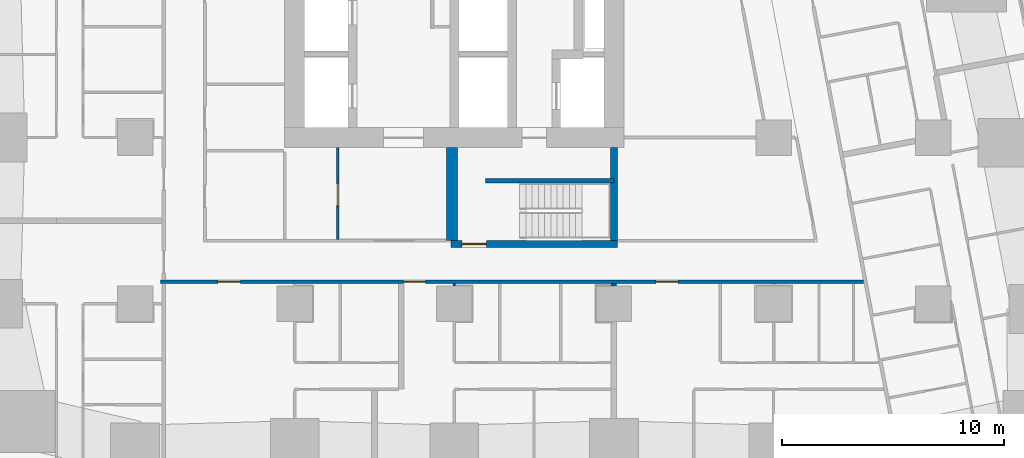
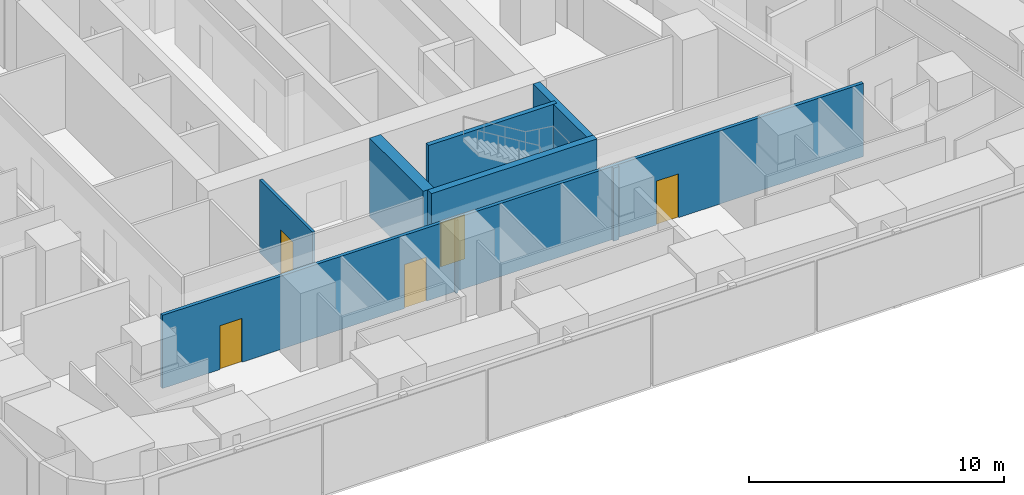
# One storey, part 4 of 17: 8 walls, 5 doors, 5 openings.
"""IFC4 building model written with IfcOpenShell, lengths in metres."""

from ifc_helpers import new_model, si_unit, direction, frame, frame_2d, origin, place, context, subcontext, project, spatial, rectangle, extrude, material, layer, layer_set, type_object, element, fill, save


model = new_model("IFC4")

# Units and contexts
model_context = context("Model", 3, precision=1e-05, world=origin(), true_north=direction((0.0, 1.0)))
body_context = subcontext(model_context, "Body", "Model", "MODEL_VIEW")
ifc_project = project(units=[si_unit("LENGTHUNIT", "METRE"), si_unit("AREAUNIT", "SQUARE_METRE"), si_unit("VOLUMEUNIT", "CUBIC_METRE"), si_unit("PLANEANGLEUNIT", "RADIAN"), si_unit("MASSUNIT", "GRAM", prefix="KILO")], contexts=[model_context])

# Site, building, storey
site_placement = place(None, origin())
site = spatial("IfcSite", under=ifc_project, at=site_placement, CompositionType="ELEMENT")
building_placement = place(site_placement, origin())
building = spatial("IfcBuilding", under=site, at=building_placement, Name="Sheger Commons Tower", CompositionType="ELEMENT")
storey_placement = place(building_placement, frame((0.0, 0.0, 119.14990234375)))
storey = spatial("IfcBuildingStorey", under=building, at=storey_placement, Name="L30", CompositionType="ELEMENT", Elevation=119.14990234375)

# Wall, openings, doors
ifc_material_1 = material(Name="Hollow concrete block masonry, skimmed both sides", Category="masonry")
ifc_layer_1 = layer(ifc_material_1, 0.14990234375)
ifc_layer_set_1 = layer_set([ifc_layer_1], Name="CORRIDOR WALL 150")
wall_type_1 = type_object("IfcWallType", Name="CORRIDOR WALL 150", PredefinedType="SOLIDWALL", material=ifc_layer_set_1)
wall_1_placement = place(storey_placement, frame((40.052978515625, 8.5, 0.0), z_axis=(0.0, 0.0, 1.0), x_axis=(-1.0, 0.0, 0.0)))
wall_1 = element("IfcWall", 1, at=wall_1_placement, inside=storey, type_object=wall_type_1, Name="Corridor wall L30", PredefinedType="SOLIDWALL", context=body_context, shape_type="SweptSolid", body=[
    extrude(rectangle(XDim=31.702880859375, YDim=0.14990234375, at=frame_2d((15.8515625, 0.0))), origin(), (0.0, 0.0, 1.0), 3.5),
])
opening_1_placement = place(wall_1_placement, frame((28.10302734375, 0.0, 0.0)))
opening_1 = element("IfcOpeningElement", 2, at=opening_1_placement, cuts=wall_1, Name="Opening D1", PredefinedType="OPENING", context=body_context, shape_type="SweptSolid", body=[
    extrude(rectangle(XDim=1.0, YDim=2.10009765625, at=frame_2d((0.5, 1.050048828125))), frame((0.0, 0.0849609375, 0.0), z_axis=(0.0, -1.0, 0.0), x_axis=(1.0, 0.0, 0.0)), (0.0, 0.0, 1.0), 0.169921875),
])
opening_2_placement = place(wall_1_placement, frame((19.75390625, 0.0, 0.0)))
opening_2 = element("IfcOpeningElement", 3, at=opening_2_placement, cuts=wall_1, Name="Opening D1", PredefinedType="OPENING", context=body_context, shape_type="SweptSolid", body=[
    extrude(rectangle(XDim=1.0, YDim=2.10009765625, at=frame_2d((0.5, 1.050048828125))), frame((0.0, 0.0849609375, 0.0), z_axis=(0.0, -1.0, 0.0), x_axis=(1.0, 0.0, 0.0)), (0.0, 0.0, 1.0), 0.169921875),
])
opening_3_placement = place(wall_1_placement, frame((8.35302734375, 0.0, 0.0)))
opening_3 = element("IfcOpeningElement", 4, at=opening_3_placement, cuts=wall_1, Name="Opening D1", PredefinedType="OPENING", context=body_context, shape_type="SweptSolid", body=[
    extrude(rectangle(XDim=1.0, YDim=2.10009765625, at=frame_2d((0.5, 1.050048828125))), frame((0.0, 0.0849609375, 0.0), z_axis=(0.0, -1.0, 0.0), x_axis=(1.0, 0.0, 0.0)), (0.0, 0.0, 1.0), 0.169921875),
])
ifc_material_2 = material(Name="Steel door set, fire rated", Category="steel")
door_type_1 = type_object("IfcDoorType", Name="FLAT ENTRANCE DOOR 1000x2100", OperationType="NOTDEFINED", PredefinedType="DOOR", material=ifc_material_2)
door_1_placement = place(opening_1_placement, origin())
door_1 = element("IfcDoor", 5, at=door_1_placement, inside=storey, type_object=door_type_1, Name="Flat entrance door", OperationType="SINGLE_SWING_RIGHT", OverallHeight=2.10009765625, OverallWidth=1.0, PredefinedType="DOOR", context=body_context, shape_type="SweptSolid", body=[
    extrude(rectangle(XDim=1.0, YDim=2.10009765625, at=frame_2d((0.5, 1.050048828125))), frame((0.0, 0.02490234375, 0.0), z_axis=(0.0, -1.0, 0.0), x_axis=(1.0, 0.0, 0.0)), (0.0, 0.0, 1.0), 0.050048828125),
])
fill(opening_1, door_1)
door_2_placement = place(opening_2_placement, origin())
door_2 = element("IfcDoor", 6, at=door_2_placement, inside=storey, type_object=door_type_1, Name="Flat entrance door", OperationType="SINGLE_SWING_RIGHT", OverallHeight=2.10009765625, OverallWidth=1.0, PredefinedType="DOOR", context=body_context, shape_type="SweptSolid", body=[
    extrude(rectangle(XDim=1.0, YDim=2.10009765625, at=frame_2d((0.5, 1.050048828125))), frame((0.0, 0.02490234375, 0.0), z_axis=(0.0, -1.0, 0.0), x_axis=(1.0, 0.0, 0.0)), (0.0, 0.0, 1.0), 0.050048828125),
])
fill(opening_2, door_2)
door_3_placement = place(opening_3_placement, origin())
door_3 = element("IfcDoor", 7, at=door_3_placement, inside=storey, type_object=door_type_1, Name="Flat entrance door", OperationType="SINGLE_SWING_RIGHT", OverallHeight=2.10009765625, OverallWidth=1.0, PredefinedType="DOOR", context=body_context, shape_type="SweptSolid", body=[
    extrude(rectangle(XDim=1.0, YDim=2.10009765625, at=frame_2d((0.5, 1.050048828125))), frame((0.0, 0.02490234375, 0.0), z_axis=(0.0, -1.0, 0.0), x_axis=(1.0, 0.0, 0.0)), (0.0, 0.0, 1.0), 0.050048828125),
])
fill(opening_3, door_3)

# Walls
ifc_material_3 = material(Name="Dense concrete block masonry, plastered both sides (separating wall between flats)", Category="masonry")
ifc_layer_2 = layer(ifc_material_3, 0.25)
ifc_layer_set_2 = layer_set([ifc_layer_2], Name="DEMISING WALL 250")
wall_type_2 = type_object("IfcWallType", Name="DEMISING WALL 250", PredefinedType="SOLIDWALL", material=ifc_layer_set_2)
wall_2_placement = place(storey_placement, frame((28.800048828125, 8.301025390625, 0.0), z_axis=(0.0, 0.0, 1.0), x_axis=(0.0, 1.0, 0.0)))
element("IfcWall", 8, at=wall_2_placement, inside=storey, type_object=wall_type_2, Name="Demising wall L30", PredefinedType="SOLIDWALL", context=body_context, shape_type="SweptSolid", body=[
    extrude(rectangle(XDim=0.1240234375, YDim=0.25, at=frame_2d((0.06201171875, 0.0))), origin(), (0.0, 0.0, 1.0), 3.5),
])
ifc_material_4 = material(Name="Gypsum board on steel studs", Category="steel")
ifc_layer_3 = layer(ifc_material_4, 0.10009765625)
ifc_layer_set_3 = layer_set([ifc_layer_3], Name="PARTITION 100")
wall_type_3 = type_object("IfcWallType", Name="PARTITION 100", PredefinedType="PARTITIONING", material=ifc_layer_set_3)
wall_3_placement = place(storey_placement, frame((21.60009765625, 8.301025390625, 0.0), z_axis=(0.0, 0.0, 1.0), x_axis=(0.0, 1.0, 0.0)))
element("IfcWall", 9, at=wall_3_placement, inside=storey, type_object=wall_type_3, Name="Partition L30", PredefinedType="PARTITIONING", context=body_context, shape_type="SweptSolid", body=[
    extrude(rectangle(XDim=0.1240234375, YDim=0.10009765625, at=frame_2d((0.06201171875, 0.0))), origin(), (0.0, 0.0, 1.0), 3.5),
])

# Wall, opening, door
ifc_material_5 = material(Name="Gypsum board on steel studs, two layers each side, fire rated", Category="steel")
ifc_layer_4 = layer(ifc_material_5, 0.125)
ifc_layer_set_4 = layer_set([ifc_layer_4], Name="SERVICE WALL 125")
wall_type_4 = type_object("IfcWallType", Name="SERVICE WALL 125", PredefinedType="PARTITIONING", material=ifc_layer_set_4)
wall_4_placement = place(storey_placement, frame((16.340087890625, 10.4130859375, 0.0), z_axis=(0.0, 0.0, 1.0), x_axis=(0.0, 1.0, 0.0)))
wall_4 = element("IfcWall", 10, at=wall_4_placement, inside=storey, type_object=wall_type_4, Name="Service room wall L30", PredefinedType="PARTITIONING", context=body_context, shape_type="SweptSolid", body=[
    extrude(rectangle(XDim=4.136962890625, YDim=0.125, at=frame_2d((2.068359375, 0.0))), origin(), (0.0, 0.0, 1.0), 3.5),
])
opening_4_placement = place(wall_4_placement, frame((1.511962890625, 0.0, 0.0)))
opening_4 = element("IfcOpeningElement", 11, at=opening_4_placement, cuts=wall_4, Name="Opening D4", PredefinedType="OPENING", context=body_context, shape_type="SweptSolid", body=[
    extrude(rectangle(XDim=1.0, YDim=2.10009765625, at=frame_2d((0.5, 1.050048828125))), frame((0.0, 0.072509765625, 0.0), z_axis=(0.0, -1.0, 0.0), x_axis=(1.0, 0.0, 0.0)), (0.0, 0.0, 1.0), 0.14501953125),
])
ifc_material_6 = material(Name="Steel door set, fire rated", Category="steel")
door_type_2 = type_object("IfcDoorType", Name="SERVICE DOOR 1000x2100", OperationType="NOTDEFINED", PredefinedType="DOOR", material=ifc_material_6)
door_4_placement = place(opening_4_placement, origin())
door_4 = element("IfcDoor", 12, at=door_4_placement, inside=storey, type_object=door_type_2, Name="Electrical room door", OperationType="SINGLE_SWING_LEFT", OverallHeight=2.10009765625, OverallWidth=1.0, PredefinedType="DOOR", context=body_context, shape_type="SweptSolid", body=[
    extrude(rectangle(XDim=1.0, YDim=2.10009765625, at=frame_2d((0.5, 1.050048828125))), frame((0.0, 0.02490234375, 0.0), z_axis=(0.0, -1.0, 0.0), x_axis=(1.0, 0.0, 0.0)), (0.0, 0.0, 1.0), 0.050048828125),
])
fill(opening_4, door_4)

ifc_material_7 = material(Name="Concrete C50/60", Category="concrete")
ifc_layer_5 = layer(ifc_material_7, 0.300048828125)
ifc_layer_set_5 = layer_set([ifc_layer_5], Name="STAIR CORE WALL 300")
wall_type_5 = type_object("IfcWallType", Name="STAIR CORE WALL 300", PredefinedType="SHEAR", material=ifc_layer_set_5)
wall_5_placement = place(storey_placement, frame((21.449951171875, 10.199951171875, 0.0), z_axis=(0.0, 0.0, 1.0), x_axis=(1.0, 0.0, 0.0)))
wall_5 = element("IfcWall", 13, at=wall_5_placement, inside=storey, type_object=wall_type_5, Name="STW-L30-S1S", PredefinedType="SHEAR", context=body_context, shape_type="SweptSolid", body=[
    extrude(rectangle(XDim=7.5, YDim=0.300048828125, at=frame_2d((3.75, 0.0))), origin(), (0.0, 0.0, 1.0), 3.75),
])
opening_5_placement = place(wall_5_placement, frame((0.5, 0.0, 0.0)))
opening_5 = element("IfcOpeningElement", 14, at=opening_5_placement, cuts=wall_5, Name="Opening D5", PredefinedType="OPENING", context=body_context, shape_type="SweptSolid", body=[
    extrude(rectangle(XDim=1.10009765625, YDim=2.10009765625, at=frame_2d((0.550048828125, 1.050048828125))), frame((0.0, 0.159912109375, 0.0), z_axis=(0.0, -1.0, 0.0), x_axis=(1.0, 0.0, 0.0)), (0.0, 0.0, 1.0), 0.320068359375),
])
ifc_material_8 = material(Name="Steel door set, fire rated", Category="steel")
door_type_3 = type_object("IfcDoorType", Name="STAIR DOOR 1100x2100", OperationType="NOTDEFINED", PredefinedType="DOOR", material=ifc_material_8)
door_5_placement = place(opening_5_placement, origin())
door_5 = element("IfcDoor", 15, at=door_5_placement, inside=storey, type_object=door_type_3, Name="Stair S1 door", OperationType="SINGLE_SWING_LEFT", OverallHeight=2.10009765625, OverallWidth=1.10009765625, PredefinedType="DOOR", context=body_context, shape_type="SweptSolid", body=[
    extrude(rectangle(XDim=1.10009765625, YDim=2.10009765625, at=frame_2d((0.550048828125, 1.050048828125))), frame((0.0, 0.02490234375, 0.0), z_axis=(0.0, -1.0, 0.0), x_axis=(1.0, 0.0, 0.0)), (0.0, 0.0, 1.0), 0.050048828125),
])
fill(opening_5, door_5)

# Walls
wall_6_placement = place(storey_placement, frame((28.800048828125, 10.35009765625, 0.0), z_axis=(0.0, 0.0, 1.0), x_axis=(0.0, 1.0, 0.0)))
element("IfcWall", 16, at=wall_6_placement, inside=storey, type_object=wall_type_5, Name="STW-L30-S1E", PredefinedType="SHEAR", context=body_context, shape_type="SweptSolid", body=[
    extrude(rectangle(XDim=4.199951171875, YDim=0.300048828125, at=frame_2d((2.10009765625, 0.0))), origin(), (0.0, 0.0, 1.0), 3.75),
])
ifc_material_9 = material(Name="Concrete C50/60", Category="concrete")
ifc_layer_6 = layer(ifc_material_9, 0.5)
ifc_layer_set_6 = layer_set([ifc_layer_6], Name="STAIR CORE WALL 500")
wall_type_6 = type_object("IfcWallType", Name="STAIR CORE WALL 500", PredefinedType="SHEAR", material=ifc_layer_set_6)
wall_7_placement = place(storey_placement, frame((21.5, 10.35009765625, 0.0), z_axis=(0.0, 0.0, 1.0), x_axis=(0.0, 1.0, 0.0)))
element("IfcWall", 17, at=wall_7_placement, inside=storey, type_object=wall_type_6, Name="STW-L30-S1W", PredefinedType="SHEAR", context=body_context, shape_type="SweptSolid", body=[
    extrude(rectangle(XDim=4.199951171875, YDim=0.5, at=frame_2d((2.10009765625, 0.0))), origin(), (0.0, 0.0, 1.0), 3.75),
])
ifc_material_10 = material(Name="Concrete C50/60", Category="concrete")
ifc_layer_7 = layer(ifc_material_10, 0.199951171875)
ifc_layer_set_7 = layer_set([ifc_layer_7], Name="STAIR SPINE WALL 200")
wall_type_7 = type_object("IfcWallType", Name="STAIR SPINE WALL 200", PredefinedType="SHEAR", material=ifc_layer_set_7)
wall_8_placement = place(storey_placement, frame((23.0, 13.050048828125, 0.0), z_axis=(0.0, 0.0, 1.0), x_axis=(1.0, 0.0, 0.0)))
element("IfcWall", 18, at=wall_8_placement, inside=storey, type_object=wall_type_7, Name="Stair spine wall L30", PredefinedType="SHEAR", context=body_context, shape_type="SweptSolid", body=[
    extrude(rectangle(XDim=5.800048828125, YDim=0.199951171875, at=frame_2d((2.89990234375, 0.0))), origin(), (0.0, 0.0, 1.0), 3.75),
])

save(model, "model.ifc")
